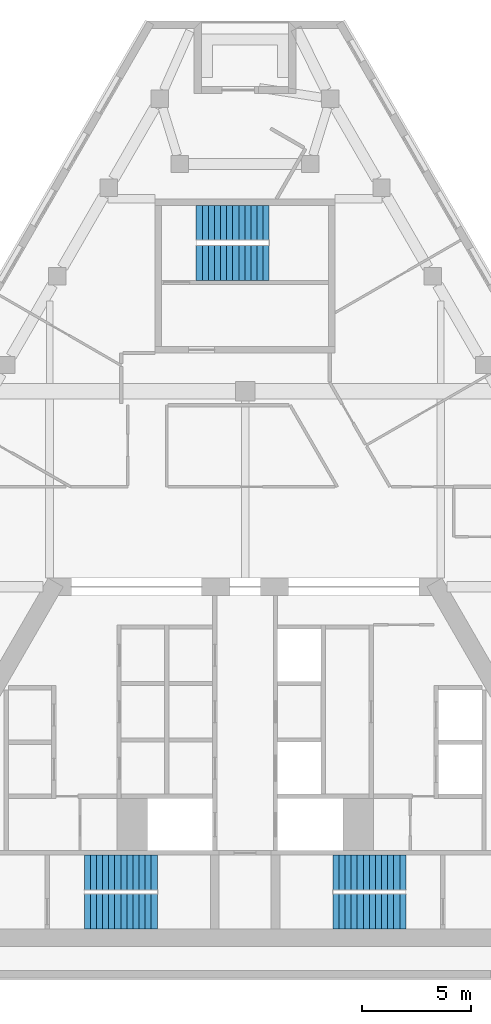
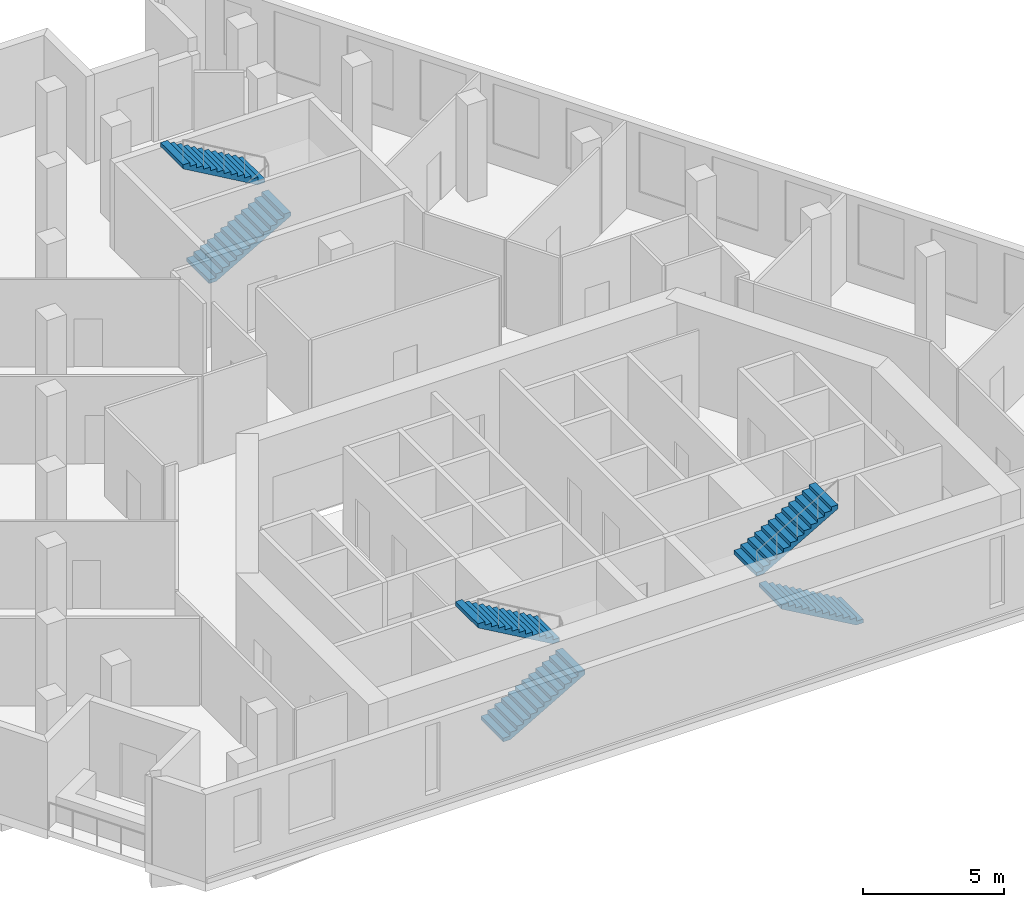
# One storey, part 8 of 9: 6 stair flights, 3 elements without a shape of their own.
"""IFC4 building model written with IfcOpenShell, lengths in metres."""

import ifcopenshell
import ifcopenshell.guid

model = None  # the IFC model being written
_history = None  # IfcOwnerHistory: only IFC2X3 demands one
_inside = {}  # id of a spatial element -> (the spatial element, [elements in it])
_under = {}  # id of a project, library or spatial element -> (it, [spatial elements below it])
_declared = {}  # id of a project -> (the project, [libraries it declares])
_typed = {}  # id of a type object -> (the type object, [elements of that type])
_made_of = {}  # id of a material, layer set ... -> (it, [elements and type objects made of it])


def new_model(schema):
    """Start an empty IFC model of exactly this schema.

    Asked for "IFC4X3", IfcOpenShell would pick the latest addendum, in which some entities
    have other attributes; the version numbers below select the first issue.
    IFC2X3 requires an IfcOwnerHistory on every rooted entity: one is made here for all.
    """
    global model, _history
    if schema == "IFC4X3":
        model = ifcopenshell.file(schema_version=(4, 3, 0, 0))
    else:
        model = ifcopenshell.file(schema=schema)
    _inside.clear()
    _under.clear()
    _declared.clear()
    _typed.clear()
    _made_of.clear()
    _history = None
    if model.schema == "IFC2X3":
        org = make("IfcOrganization", Name="unknown")
        user = make(
            "IfcPersonAndOrganization",
            ThePerson=make("IfcPerson", FamilyName="unknown"),
            TheOrganization=org,
        )
        app = make(
            "IfcApplication",
            ApplicationDeveloper=org,
            Version="unknown",
            ApplicationFullName="unknown",
            ApplicationIdentifier="unknown",
        )
        _history = make(
            "IfcOwnerHistory",
            OwningUser=user,
            OwningApplication=app,
            ChangeAction="ADDED",
            CreationDate=0,
        )
    return model


def make(cls, **values):
    """One entity of the class cls with the attributes given. An attribute that is None is left unset."""
    return model.create_entity(
        cls, **{name: value for name, value in values.items() if value is not None}
    )


def rooted(cls, **values):
    """An entity with a GlobalId (a new one), such as an element, a storey or a relation."""
    return make(cls, GlobalId=ifcopenshell.guid.new(), OwnerHistory=_history, **values)


def si_unit(unit_type, name, prefix=None):
    """IfcSIUnit, for example si_unit("LENGTHUNIT", "METRE", prefix="MILLI")."""
    return make("IfcSIUnit", UnitType=unit_type, Prefix=prefix, Name=name)


def assignment(units):
    """IfcUnitAssignment: the units of a project."""
    return None if units is None else make("IfcUnitAssignment", Units=units)


def point(xyz):
    """IfcCartesianPoint."""
    return None if xyz is None else make("IfcCartesianPoint", Coordinates=xyz)


def direction(xyz):
    """IfcDirection."""
    return None if xyz is None else make("IfcDirection", DirectionRatios=xyz)


def frame(location, z_axis=None, x_axis=None):
    """IfcAxis2Placement3D, a coordinate frame: its origin and axes. An axis left out is left unset."""
    return make(
        "IfcAxis2Placement3D",
        Location=point(location),
        Axis=direction(z_axis),
        RefDirection=direction(x_axis),
    )


def origin():
    """The frame at (0, 0, 0) with its axes left unset."""
    return frame((0.0, 0.0, 0.0))


def place(relative_to, where):
    """IfcLocalPlacement: puts the frame where relative to a parent placement (None: the world)."""
    return make(
        "IfcLocalPlacement", PlacementRelTo=relative_to, RelativePlacement=where
    )


def context(
    kind, dimensions, precision=None, world=None, true_north=None, identifier=None
):
    """IfcGeometricRepresentationContext, for example the 3D "Model" context."""
    return make(
        "IfcGeometricRepresentationContext",
        ContextIdentifier=identifier,
        ContextType=kind,
        CoordinateSpaceDimension=dimensions,
        Precision=precision,
        WorldCoordinateSystem=world,
        TrueNorth=true_north,
    )


def subcontext(parent, identifier, kind, view, scale=None):
    """IfcGeometricRepresentationSubContext, for example "Body" below "Model"."""
    return make(
        "IfcGeometricRepresentationSubContext",
        ContextIdentifier=identifier,
        ContextType=kind,
        ParentContext=parent,
        TargetScale=scale,
        TargetView=view,
    )


def project(units=None, contexts=None):
    """IfcProject with its units and contexts."""
    return rooted(
        "IfcProject",
        Name="project",
        RepresentationContexts=contexts,
        UnitsInContext=assignment(units),
    )


def spatial(cls, under=None, at=None, **own):
    """A site, building, storey or space (cls), placed at a placement, below another one or the project."""
    s = rooted(cls, ObjectPlacement=at, **own)
    if under is not None:
        _under.setdefault(under.id(), (under, []))[1].append(s)
    return s


def polyline(points):
    """IfcPolyline through the points."""
    return make("IfcPolyline", Points=[point(p) for p in points])


def outline(outer, holes=None, kind="AREA"):
    """IfcArbitraryClosedProfileDef: a profile drawn as a closed curve; with holes, ...WithVoids."""
    if holes is None:
        return make("IfcArbitraryClosedProfileDef", ProfileType=kind, OuterCurve=outer)
    return make(
        "IfcArbitraryProfileDefWithVoids",
        ProfileType=kind,
        OuterCurve=outer,
        InnerCurves=holes,
    )


def extrude(swept, where, along, depth):
    """IfcExtrudedAreaSolid: the profile swept, set in the frame where, extruded along a direction by depth."""
    return make(
        "IfcExtrudedAreaSolid",
        SweptArea=swept,
        Position=where,
        ExtrudedDirection=direction(along),
        Depth=depth,
    )


def shape(context_of_items, identifier, shape_type, items):
    """IfcShapeRepresentation: the items that make up one representation, for example the "Body"."""
    return make(
        "IfcShapeRepresentation",
        ContextOfItems=context_of_items,
        RepresentationIdentifier=identifier,
        RepresentationType=shape_type,
        Items=items,
    )


def material(Name=None, Category=None):
    """IfcMaterial."""
    return make("IfcMaterial", Name=Name, Category=Category)


def made_of(thing, what):
    """Note that an element or type object is made of a material, layer set ...; save() writes the relation."""
    if what is not None:
        _made_of.setdefault(what.id(), (what, []))[1].append(thing)
    return thing


def type_object(cls, material=None, **own):
    """A type object (cls), such as IfcWallType, which elements share."""
    return made_of(rooted(cls, **own), material)


def element(
    cls,
    number,
    at=None,
    inside=None,
    cuts=None,
    type_object=None,
    material=None,
    context=None,
    identifier="Body",
    shape_type=None,
    held_by="IfcProductDefinitionShape",
    body=None,
    shapes=None,
    **own,
):
    """One element of the class cls, such as IfcWall. Its Tag is "e" and its number.

    at: its placement. inside: the storey or other place that contains it. cuts: it is an
    opening in that element (IfcRelVoidsElement). A single representation is given by context,
    identifier, shape_type and body (its items); several are given by shapes. held_by: the class
    of the entity that holds the representations. save() writes the other relations.
    """
    e = rooted(cls, Tag="e%d" % number, ObjectPlacement=at, **own)
    if body is not None:
        shapes = [shape(context, identifier, shape_type, body)]
    if shapes is not None:
        e.Representation = make(held_by, Representations=shapes)
    if inside is not None:
        _inside.setdefault(inside.id(), (inside, []))[1].append(e)
    if cuts is not None:
        rooted(
            "IfcRelVoidsElement", RelatingBuildingElement=cuts, RelatedOpeningElement=e
        )
    if type_object is not None:
        _typed.setdefault(type_object.id(), (type_object, []))[1].append(e)
    return made_of(e, material)


def aggregate(whole, parts):
    """IfcRelAggregates: a whole, such as a stair, and the parts it consists of."""
    return rooted("IfcRelAggregates", RelatingObject=whole, RelatedObjects=parts)


def save(model, path):
    """Write the relations noted so far, then the file.

    IfcRelAggregates (storeys below a building ...), IfcRelContainedInSpatialStructure (elements
    in a storey), IfcRelDefinesByType, IfcRelAssociatesMaterial and IfcRelDeclares: one each for
    every whole, place, type object, material and project.
    """
    for whole, parts in _under.values():
        aggregate(whole, parts)
    for where, things in _inside.values():
        rooted(
            "IfcRelContainedInSpatialStructure",
            RelatedElements=things,
            RelatingStructure=where,
        )
    for kind, things in _typed.values():
        rooted("IfcRelDefinesByType", RelatedObjects=things, RelatingType=kind)
    for what, things in _made_of.values():
        rooted("IfcRelAssociatesMaterial", RelatedObjects=things, RelatingMaterial=what)
    for by, libraries in _declared.values():
        rooted("IfcRelDeclares", RelatingContext=by, RelatedDefinitions=libraries)
    model.write(path)


model = new_model("IFC4")

# Units and contexts
model_context = context("Model", 3, precision=1e-05, world=origin(), true_north=direction((0.0, 1.0)))
body_context = subcontext(model_context, "Body", "Model", "MODEL_VIEW")
ifc_project = project(units=[si_unit("LENGTHUNIT", "METRE"), si_unit("AREAUNIT", "SQUARE_METRE"), si_unit("VOLUMEUNIT", "CUBIC_METRE"), si_unit("PLANEANGLEUNIT", "RADIAN"), si_unit("MASSUNIT", "GRAM", prefix="KILO")], contexts=[model_context])

# Site, building, storey
site_placement = place(None, origin())
site = spatial("IfcSite", under=ifc_project, at=site_placement, CompositionType="ELEMENT")
building_placement = place(site_placement, origin())
building = spatial("IfcBuilding", under=site, at=building_placement, Name="Fogline Exchange Tower", CompositionType="ELEMENT")
storey_placement = place(building_placement, frame((0.0, 0.0, 283.5)))
storey = spatial("IfcBuildingStorey", under=building, at=storey_placement, Name="L64", CompositionType="ELEMENT", Elevation=283.5)

# Stair, stair flights
ifc_material = material(Name="Concrete C40", Category="concrete")
stair_type = type_object("IfcStairType", Name="STR26-1615", PredefinedType="HALF_TURN_STAIR", material=ifc_material)
stair_1_placement = place(storey_placement, origin())
stair_1 = element("IfcStair", 1, at=stair_1_placement, inside=storey, type_object=stair_type, Name="Stair ST1", PredefinedType="HALF_TURN_STAIR")
stair_flight_type = type_object("IfcStairFlightType", Name="SF13-1615", PredefinedType="STRAIGHT", material=ifc_material)
stair_flight_1_placement = place(storey_placement, frame((-7.39990234375, 3.050048828125, 0.0), z_axis=(0.0, 0.0, 1.0), x_axis=(1.0, 0.0, 0.0)))
stair_flight_1 = element("IfcStairFlight", 2, at=stair_flight_1_placement, type_object=stair_flight_type, Name="ST1 flight 1", NumberOfRisers=13, NumberOfTreads=12, PredefinedType="STRAIGHT", RiserHeight=0.161538462, TreadLength=0.28, context=body_context, shape_type="SweptSolid", body=[
    extrude(outline(polyline([(0.0, 0.0), (0.0, 0.16162109375), (0.280029296875, 0.16162109375), (0.280029296875, 0.322998046875), (0.56005859375, 0.322998046875), (0.56005859375, 0.484619140625), (0.840087890625, 0.484619140625), (0.840087890625, 0.646240234375), (1.1201171875, 0.646240234375), (1.1201171875, 0.8076171875), (1.39990234375, 0.8076171875), (1.39990234375, 0.96923828125), (1.679931640625, 0.96923828125), (1.679931640625, 1.130859375), (1.9599609375, 1.130859375), (1.9599609375, 1.292236328125), (2.239990234375, 1.292236328125), (2.239990234375, 1.453857421875), (2.52001953125, 1.453857421875), (2.52001953125, 1.615478515625), (2.800048828125, 1.615478515625), (2.800048828125, 1.77685546875), (3.080078125, 1.77685546875), (3.080078125, 1.9384765625), (3.360107421875, 1.9384765625), (3.360107421875, 2.10009765625), (3.360107421875, 1.765380859375), (0.300048828125, 0.0), (0.0, 0.0)])), frame((0.0, 0.800048828125, 0.0), z_axis=(0.0, -1.0, 0.0), x_axis=(1.0, 0.0, 0.0)), (0.0, 0.0, 1.0), 1.60009765625),
])
stair_flight_2_placement = place(storey_placement, frame((-4.0400390625, 4.85009765625, 2.10009765625), z_axis=(0.0, 0.0, 1.0), x_axis=(-1.0, 0.0, 0.0)))
stair_flight_2 = element("IfcStairFlight", 3, at=stair_flight_2_placement, type_object=stair_flight_type, Name="ST1 flight 2", NumberOfRisers=13, NumberOfTreads=12, PredefinedType="STRAIGHT", RiserHeight=0.161538462, TreadLength=0.28, context=body_context, shape_type="SweptSolid", body=[
    extrude(outline(polyline([(0.0, 0.0), (0.0, 0.16162109375), (0.280029296875, 0.16162109375), (0.280029296875, 0.322998046875), (0.56005859375, 0.322998046875), (0.56005859375, 0.484619140625), (0.840087890625, 0.484619140625), (0.840087890625, 0.646240234375), (1.1201171875, 0.646240234375), (1.1201171875, 0.8076171875), (1.39990234375, 0.8076171875), (1.39990234375, 0.96923828125), (1.679931640625, 0.96923828125), (1.679931640625, 1.130859375), (1.9599609375, 1.130859375), (1.9599609375, 1.292236328125), (2.239990234375, 1.292236328125), (2.239990234375, 1.453857421875), (2.52001953125, 1.453857421875), (2.52001953125, 1.615478515625), (2.800048828125, 1.615478515625), (2.800048828125, 1.77685546875), (3.080078125, 1.77685546875), (3.080078125, 1.9384765625), (3.360107421875, 1.9384765625), (3.360107421875, 2.10009765625), (3.360107421875, 1.765380859375), (0.300048828125, 0.0), (0.0, 0.0)])), frame((0.0, 0.800048828125, 0.0), z_axis=(0.0, -1.0, 0.0), x_axis=(1.0, 0.0, 0.0)), (0.0, 0.0, 1.0), 1.60009765625),
])
aggregate(stair_1, [stair_flight_1, stair_flight_2])

stair_2_placement = place(storey_placement, origin())
stair_2 = element("IfcStair", 4, at=stair_2_placement, inside=storey, type_object=stair_type, Name="Stair ST2", PredefinedType="HALF_TURN_STAIR")
stair_flight_3_placement = place(storey_placement, frame((7.39990234375, 3.050048828125, 0.0), z_axis=(0.0, 0.0, 1.0), x_axis=(-1.0, 0.0, 0.0)))
stair_flight_3 = element("IfcStairFlight", 5, at=stair_flight_3_placement, type_object=stair_flight_type, Name="ST2 flight 1", NumberOfRisers=13, NumberOfTreads=12, PredefinedType="STRAIGHT", RiserHeight=0.161538462, TreadLength=0.28, context=body_context, shape_type="SweptSolid", body=[
    extrude(outline(polyline([(0.0, 0.0), (0.0, 0.16162109375), (0.280029296875, 0.16162109375), (0.280029296875, 0.322998046875), (0.56005859375, 0.322998046875), (0.56005859375, 0.484619140625), (0.840087890625, 0.484619140625), (0.840087890625, 0.646240234375), (1.1201171875, 0.646240234375), (1.1201171875, 0.8076171875), (1.39990234375, 0.8076171875), (1.39990234375, 0.96923828125), (1.679931640625, 0.96923828125), (1.679931640625, 1.130859375), (1.9599609375, 1.130859375), (1.9599609375, 1.292236328125), (2.239990234375, 1.292236328125), (2.239990234375, 1.453857421875), (2.52001953125, 1.453857421875), (2.52001953125, 1.615478515625), (2.800048828125, 1.615478515625), (2.800048828125, 1.77685546875), (3.080078125, 1.77685546875), (3.080078125, 1.9384765625), (3.360107421875, 1.9384765625), (3.360107421875, 2.10009765625), (3.360107421875, 1.765380859375), (0.300048828125, 0.0), (0.0, 0.0)])), frame((0.0, 0.800048828125, 0.0), z_axis=(0.0, -1.0, 0.0), x_axis=(1.0, 0.0, 0.0)), (0.0, 0.0, 1.0), 1.60009765625),
])
stair_flight_4_placement = place(storey_placement, frame((4.0400390625, 4.85009765625, 2.10009765625), z_axis=(0.0, 0.0, 1.0), x_axis=(1.0, 0.0, 0.0)))
stair_flight_4 = element("IfcStairFlight", 6, at=stair_flight_4_placement, type_object=stair_flight_type, Name="ST2 flight 2", NumberOfRisers=13, NumberOfTreads=12, PredefinedType="STRAIGHT", RiserHeight=0.161538462, TreadLength=0.28, context=body_context, shape_type="SweptSolid", body=[
    extrude(outline(polyline([(0.0, 0.0), (0.0, 0.16162109375), (0.280029296875, 0.16162109375), (0.280029296875, 0.322998046875), (0.56005859375, 0.322998046875), (0.56005859375, 0.484619140625), (0.840087890625, 0.484619140625), (0.840087890625, 0.646240234375), (1.1201171875, 0.646240234375), (1.1201171875, 0.8076171875), (1.39990234375, 0.8076171875), (1.39990234375, 0.96923828125), (1.679931640625, 0.96923828125), (1.679931640625, 1.130859375), (1.9599609375, 1.130859375), (1.9599609375, 1.292236328125), (2.239990234375, 1.292236328125), (2.239990234375, 1.453857421875), (2.52001953125, 1.453857421875), (2.52001953125, 1.615478515625), (2.800048828125, 1.615478515625), (2.800048828125, 1.77685546875), (3.080078125, 1.77685546875), (3.080078125, 1.9384765625), (3.360107421875, 1.9384765625), (3.360107421875, 2.10009765625), (3.360107421875, 1.765380859375), (0.300048828125, 0.0), (0.0, 0.0)])), frame((0.0, 0.800048828125, 0.0), z_axis=(0.0, -1.0, 0.0), x_axis=(1.0, 0.0, 0.0)), (0.0, 0.0, 1.0), 1.60009765625),
])
aggregate(stair_2, [stair_flight_3, stair_flight_4])

stair_3_placement = place(storey_placement, origin())
stair_3 = element("IfcStair", 7, at=stair_3_placement, inside=storey, type_object=stair_type, Name="Stair ST3", PredefinedType="HALF_TURN_STAIR")
stair_flight_5_placement = place(storey_placement, frame((-2.25, 32.906982421875, 0.0), z_axis=(0.0, 0.0, 1.0), x_axis=(1.0, 0.0, 0.0)))
stair_flight_5 = element("IfcStairFlight", 8, at=stair_flight_5_placement, type_object=stair_flight_type, Name="ST3 flight 1", NumberOfRisers=13, NumberOfTreads=12, PredefinedType="STRAIGHT", RiserHeight=0.161538462, TreadLength=0.28, context=body_context, shape_type="SweptSolid", body=[
    extrude(outline(polyline([(0.0, 0.0), (0.0, 0.16162109375), (0.280029296875, 0.16162109375), (0.280029296875, 0.322998046875), (0.56005859375, 0.322998046875), (0.56005859375, 0.484619140625), (0.840087890625, 0.484619140625), (0.840087890625, 0.646240234375), (1.1201171875, 0.646240234375), (1.1201171875, 0.8076171875), (1.39990234375, 0.8076171875), (1.39990234375, 0.96923828125), (1.679931640625, 0.96923828125), (1.679931640625, 1.130859375), (1.9599609375, 1.130859375), (1.9599609375, 1.292236328125), (2.239990234375, 1.292236328125), (2.239990234375, 1.453857421875), (2.52001953125, 1.453857421875), (2.52001953125, 1.615478515625), (2.800048828125, 1.615478515625), (2.800048828125, 1.77685546875), (3.080078125, 1.77685546875), (3.080078125, 1.9384765625), (3.360107421875, 1.9384765625), (3.360107421875, 2.10009765625), (3.360107421875, 1.765380859375), (0.300048828125, 0.0), (0.0, 0.0)])), frame((0.0, 0.800048828125, 0.0), z_axis=(0.0, -1.0, 0.0), x_axis=(1.0, 0.0, 0.0)), (0.0, 0.0, 1.0), 1.60009765625),
])
stair_flight_6_placement = place(storey_placement, frame((1.110107421875, 34.757080078125, 2.10009765625), z_axis=(0.0, 0.0, 1.0), x_axis=(-1.0, 0.0, 0.0)))
stair_flight_6 = element("IfcStairFlight", 9, at=stair_flight_6_placement, type_object=stair_flight_type, Name="ST3 flight 2", NumberOfRisers=13, NumberOfTreads=12, PredefinedType="STRAIGHT", RiserHeight=0.161538462, TreadLength=0.28, context=body_context, shape_type="SweptSolid", body=[
    extrude(outline(polyline([(0.0, 0.0), (0.0, 0.16162109375), (0.280029296875, 0.16162109375), (0.280029296875, 0.322998046875), (0.56005859375, 0.322998046875), (0.56005859375, 0.484619140625), (0.840087890625, 0.484619140625), (0.840087890625, 0.646240234375), (1.1201171875, 0.646240234375), (1.1201171875, 0.8076171875), (1.39990234375, 0.8076171875), (1.39990234375, 0.96923828125), (1.679931640625, 0.96923828125), (1.679931640625, 1.130859375), (1.9599609375, 1.130859375), (1.9599609375, 1.292236328125), (2.239990234375, 1.292236328125), (2.239990234375, 1.453857421875), (2.52001953125, 1.453857421875), (2.52001953125, 1.615478515625), (2.800048828125, 1.615478515625), (2.800048828125, 1.77685546875), (3.080078125, 1.77685546875), (3.080078125, 1.9384765625), (3.360107421875, 1.9384765625), (3.360107421875, 2.10009765625), (3.360107421875, 1.765380859375), (0.300048828125, 0.0), (0.0, 0.0)])), frame((0.0, 0.800048828125, 0.0), z_axis=(0.0, -1.0, 0.0), x_axis=(1.0, 0.0, 0.0)), (0.0, 0.0, 1.0), 1.60009765625),
])
aggregate(stair_3, [stair_flight_5, stair_flight_6])

save(model, "model.ifc")
